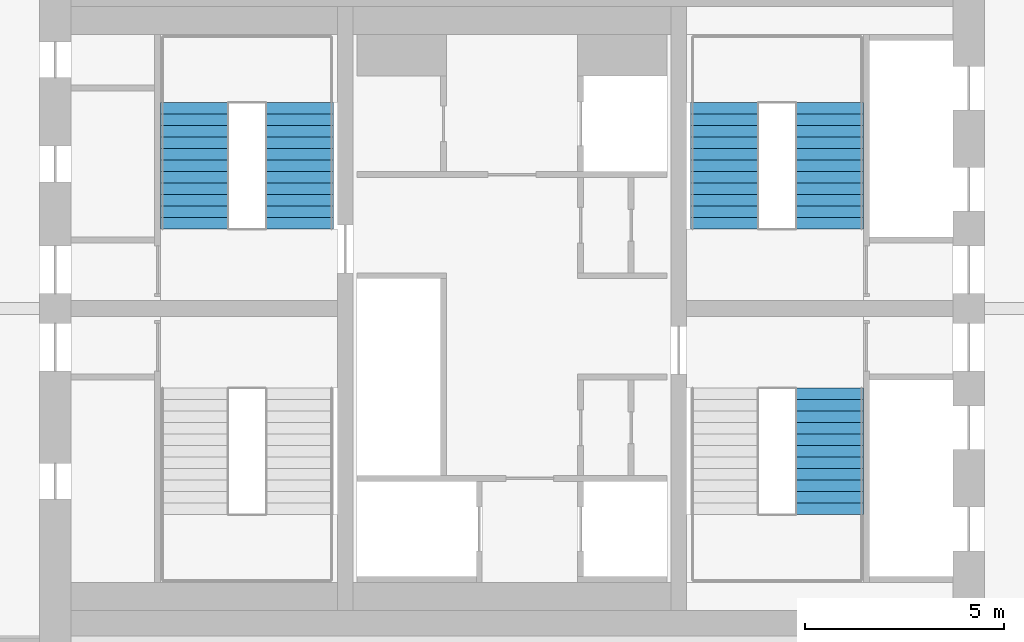
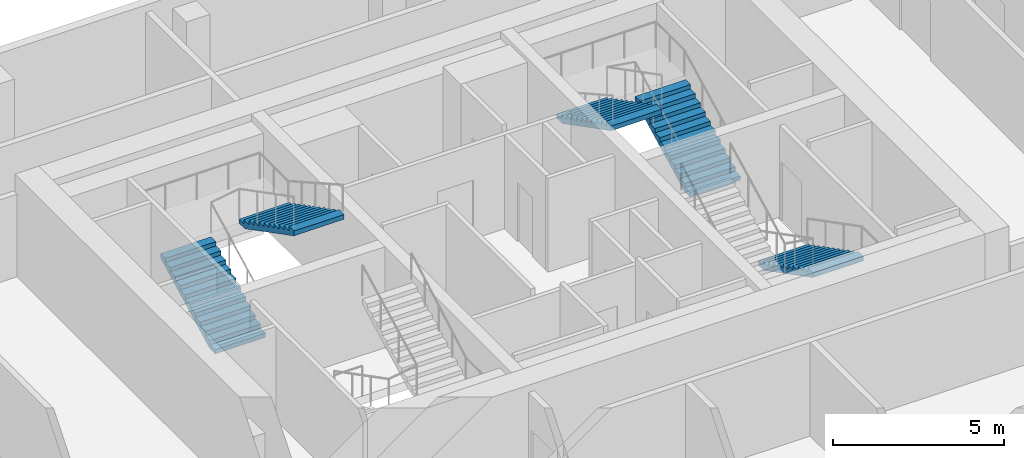
# One storey, part 21 of 22: 5 stair flights, 3 elements without a shape of their own.
"""IFC4 building model written with IfcOpenShell, lengths in metres."""

from ifc_helpers import new_model, si_unit, direction, frame, origin, place, context, subcontext, project, spatial, polyline, outline, extrude, material, type_object, element, aggregate, save


model = new_model("IFC4")

# Units and contexts
model_context = context("Model", 3, precision=1e-05, world=origin(), true_north=direction((0.0, 1.0)))
body_context = subcontext(model_context, "Body", "Model", "MODEL_VIEW")
ifc_project = project(units=[si_unit("LENGTHUNIT", "METRE"), si_unit("AREAUNIT", "SQUARE_METRE"), si_unit("VOLUMEUNIT", "CUBIC_METRE"), si_unit("PLANEANGLEUNIT", "RADIAN"), si_unit("MASSUNIT", "GRAM", prefix="KILO")], contexts=[model_context])

# Site, building, storey
site_placement = place(None, origin())
site = spatial("IfcSite", under=ifc_project, at=site_placement, CompositionType="ELEMENT")
building_placement = place(site_placement, origin())
building = spatial("IfcBuilding", under=site, at=building_placement, Name="Marenta Gate Hotel Tower", CompositionType="ELEMENT")
storey_placement = place(building_placement, frame((0.0, 0.0, 187.699951171875)))
storey = spatial("IfcBuildingStorey", under=building, at=storey_placement, Name="L42", CompositionType="ELEMENT", Elevation=187.699951171875)

# Stair, stair flights
ifc_material_1 = material(Name="Concrete C40", Category="concrete")
stair_type = type_object("IfcStairType", Name="Core exit stair 1700 wide", PredefinedType="HALF_TURN_STAIR", material=ifc_material_1)
stair_1_placement = place(storey_placement, origin())
stair_1 = element("IfcStair", 1, at=stair_1_placement, inside=storey, type_object=stair_type, Name="Exit stair 2", PredefinedType="HALF_TURN_STAIR")
ifc_material_2 = material(Name="Concrete C40", Category="concrete")
stair_flight_type = type_object("IfcStairFlightType", Name="Core stair flight 1700 riser 150.0 going 290", PredefinedType="STRAIGHT", material=ifc_material_2)
stair_flight_1_placement = place(storey_placement, frame((-8.0, 10.39990234375, 0.0), z_axis=(0.0, 0.0, 1.0), x_axis=(0.0, 1.0, 0.0)))
stair_flight_1 = element("IfcStairFlight", 2, at=stair_flight_1_placement, type_object=stair_flight_type, Name="ST2 flight 1", NumberOfRisers=12, NumberOfTreads=11, PredefinedType="STRAIGHT", RiserHeight=0.15, TreadLength=0.29, context=body_context, shape_type="SweptSolid", body=[
    extrude(outline(polyline([(0.0, 0.0), (0.0, 0.14990234375), (0.2900390625, 0.14990234375), (0.2900390625, 0.300048828125), (0.580078125, 0.300048828125), (0.580078125, 0.449951171875), (0.8701171875, 0.449951171875), (0.8701171875, 0.60009765625), (1.159912109375, 0.60009765625), (1.159912109375, 0.75), (1.449951171875, 0.75), (1.449951171875, 0.89990234375), (1.739990234375, 0.89990234375), (1.739990234375, 1.050048828125), (2.030029296875, 1.050048828125), (2.030029296875, 1.199951171875), (2.320068359375, 1.199951171875), (2.320068359375, 1.35009765625), (2.610107421875, 1.35009765625), (2.610107421875, 1.5), (2.89990234375, 1.5), (2.89990234375, 1.64990234375), (3.18994140625, 1.64990234375), (3.18994140625, 1.800048828125), (3.18994140625, 1.481201171875), (0.326171875, 0.0), (0.0, 0.0)])), frame((0.0, 0.85009765625, 0.0), z_axis=(0.0, -1.0, 0.0), x_axis=(1.0, 0.0, 0.0)), (0.0, 0.0, 1.0), 1.699951171875),
])
stair_flight_2_placement = place(storey_placement, frame((-5.35009765625, 13.590087890625, 1.800048828125), z_axis=(0.0, 0.0, 1.0), x_axis=(0.0, -1.0, 0.0)))
stair_flight_2 = element("IfcStairFlight", 3, at=stair_flight_2_placement, type_object=stair_flight_type, Name="ST2 flight 2", NumberOfRisers=12, NumberOfTreads=11, PredefinedType="STRAIGHT", RiserHeight=0.15, TreadLength=0.29, context=body_context, shape_type="SweptSolid", body=[
    extrude(outline(polyline([(0.0, 0.0), (0.0, 0.14990234375), (0.2900390625, 0.14990234375), (0.2900390625, 0.300048828125), (0.580078125, 0.300048828125), (0.580078125, 0.449951171875), (0.8701171875, 0.449951171875), (0.8701171875, 0.60009765625), (1.159912109375, 0.60009765625), (1.159912109375, 0.75), (1.449951171875, 0.75), (1.449951171875, 0.89990234375), (1.739990234375, 0.89990234375), (1.739990234375, 1.050048828125), (2.030029296875, 1.050048828125), (2.030029296875, 1.199951171875), (2.320068359375, 1.199951171875), (2.320068359375, 1.35009765625), (2.610107421875, 1.35009765625), (2.610107421875, 1.5), (2.89990234375, 1.5), (2.89990234375, 1.64990234375), (3.18994140625, 1.64990234375), (3.18994140625, 1.800048828125), (3.18994140625, 1.481201171875), (0.326171875, 0.0), (0.0, 0.0)])), frame((0.0, 0.85009765625, 0.0), z_axis=(0.0, -1.0, 0.0), x_axis=(1.0, 0.0, 0.0)), (0.0, 0.0, 1.0), 1.699951171875),
])
aggregate(stair_1, [stair_flight_1, stair_flight_2])

# Stair, stair flight
stair_2_placement = place(storey_placement, origin())
stair_2 = element("IfcStair", 4, at=stair_2_placement, inside=storey, type_object=stair_type, Name="Exit stair 3", PredefinedType="HALF_TURN_STAIR")
stair_flight_3_placement = place(storey_placement, frame((8.0, 6.39990234375, 0.0), z_axis=(0.0, 0.0, 1.0), x_axis=(0.0, -1.0, 0.0)))
stair_flight_3 = element("IfcStairFlight", 5, at=stair_flight_3_placement, type_object=stair_flight_type, Name="ST3 flight 1", NumberOfRisers=12, NumberOfTreads=11, PredefinedType="STRAIGHT", RiserHeight=0.15, TreadLength=0.29, context=body_context, shape_type="SweptSolid", body=[
    extrude(outline(polyline([(0.0, 0.0), (0.0, 0.14990234375), (0.2900390625, 0.14990234375), (0.2900390625, 0.300048828125), (0.580078125, 0.300048828125), (0.580078125, 0.449951171875), (0.8701171875, 0.449951171875), (0.8701171875, 0.60009765625), (1.159912109375, 0.60009765625), (1.159912109375, 0.75), (1.449951171875, 0.75), (1.449951171875, 0.89990234375), (1.739990234375, 0.89990234375), (1.739990234375, 1.050048828125), (2.030029296875, 1.050048828125), (2.030029296875, 1.199951171875), (2.320068359375, 1.199951171875), (2.320068359375, 1.35009765625), (2.610107421875, 1.35009765625), (2.610107421875, 1.5), (2.89990234375, 1.5), (2.89990234375, 1.64990234375), (3.18994140625, 1.64990234375), (3.18994140625, 1.800048828125), (3.18994140625, 1.481201171875), (0.326171875, 0.0), (0.0, 0.0)])), frame((0.0, 0.85009765625, 0.0), z_axis=(0.0, -1.0, 0.0), x_axis=(1.0, 0.0, 0.0)), (0.0, 0.0, 1.0), 1.699951171875),
])
aggregate(stair_2, [stair_flight_3])

# Stair, stair flights
stair_3_placement = place(storey_placement, origin())
stair_3 = element("IfcStair", 6, at=stair_3_placement, inside=storey, type_object=stair_type, Name="Exit stair 4", PredefinedType="HALF_TURN_STAIR")
stair_flight_4_placement = place(storey_placement, frame((8.0, 10.39990234375, 0.0), z_axis=(0.0, 0.0, 1.0), x_axis=(0.0, 1.0, 0.0)))
stair_flight_4 = element("IfcStairFlight", 7, at=stair_flight_4_placement, type_object=stair_flight_type, Name="ST4 flight 1", NumberOfRisers=12, NumberOfTreads=11, PredefinedType="STRAIGHT", RiserHeight=0.15, TreadLength=0.29, context=body_context, shape_type="SweptSolid", body=[
    extrude(outline(polyline([(0.0, 0.0), (0.0, 0.14990234375), (0.2900390625, 0.14990234375), (0.2900390625, 0.300048828125), (0.580078125, 0.300048828125), (0.580078125, 0.449951171875), (0.8701171875, 0.449951171875), (0.8701171875, 0.60009765625), (1.159912109375, 0.60009765625), (1.159912109375, 0.75), (1.449951171875, 0.75), (1.449951171875, 0.89990234375), (1.739990234375, 0.89990234375), (1.739990234375, 1.050048828125), (2.030029296875, 1.050048828125), (2.030029296875, 1.199951171875), (2.320068359375, 1.199951171875), (2.320068359375, 1.35009765625), (2.610107421875, 1.35009765625), (2.610107421875, 1.5), (2.89990234375, 1.5), (2.89990234375, 1.64990234375), (3.18994140625, 1.64990234375), (3.18994140625, 1.800048828125), (3.18994140625, 1.481201171875), (0.326171875, 0.0), (0.0, 0.0)])), frame((0.0, 0.85009765625, 0.0), z_axis=(0.0, -1.0, 0.0), x_axis=(1.0, 0.0, 0.0)), (0.0, 0.0, 1.0), 1.699951171875),
])
stair_flight_5_placement = place(storey_placement, frame((5.35009765625, 13.590087890625, 1.800048828125), z_axis=(0.0, 0.0, 1.0), x_axis=(0.0, -1.0, 0.0)))
stair_flight_5 = element("IfcStairFlight", 8, at=stair_flight_5_placement, type_object=stair_flight_type, Name="ST4 flight 2", NumberOfRisers=12, NumberOfTreads=11, PredefinedType="STRAIGHT", RiserHeight=0.15, TreadLength=0.29, context=body_context, shape_type="SweptSolid", body=[
    extrude(outline(polyline([(0.0, 0.0), (0.0, 0.14990234375), (0.2900390625, 0.14990234375), (0.2900390625, 0.300048828125), (0.580078125, 0.300048828125), (0.580078125, 0.449951171875), (0.8701171875, 0.449951171875), (0.8701171875, 0.60009765625), (1.159912109375, 0.60009765625), (1.159912109375, 0.75), (1.449951171875, 0.75), (1.449951171875, 0.89990234375), (1.739990234375, 0.89990234375), (1.739990234375, 1.050048828125), (2.030029296875, 1.050048828125), (2.030029296875, 1.199951171875), (2.320068359375, 1.199951171875), (2.320068359375, 1.35009765625), (2.610107421875, 1.35009765625), (2.610107421875, 1.5), (2.89990234375, 1.5), (2.89990234375, 1.64990234375), (3.18994140625, 1.64990234375), (3.18994140625, 1.800048828125), (3.18994140625, 1.481201171875), (0.326171875, 0.0), (0.0, 0.0)])), frame((0.0, 0.85009765625, 0.0), z_axis=(0.0, -1.0, 0.0), x_axis=(1.0, 0.0, 0.0)), (0.0, 0.0, 1.0), 1.699951171875),
])
aggregate(stair_3, [stair_flight_4, stair_flight_5])

save(model, "model.ifc")
